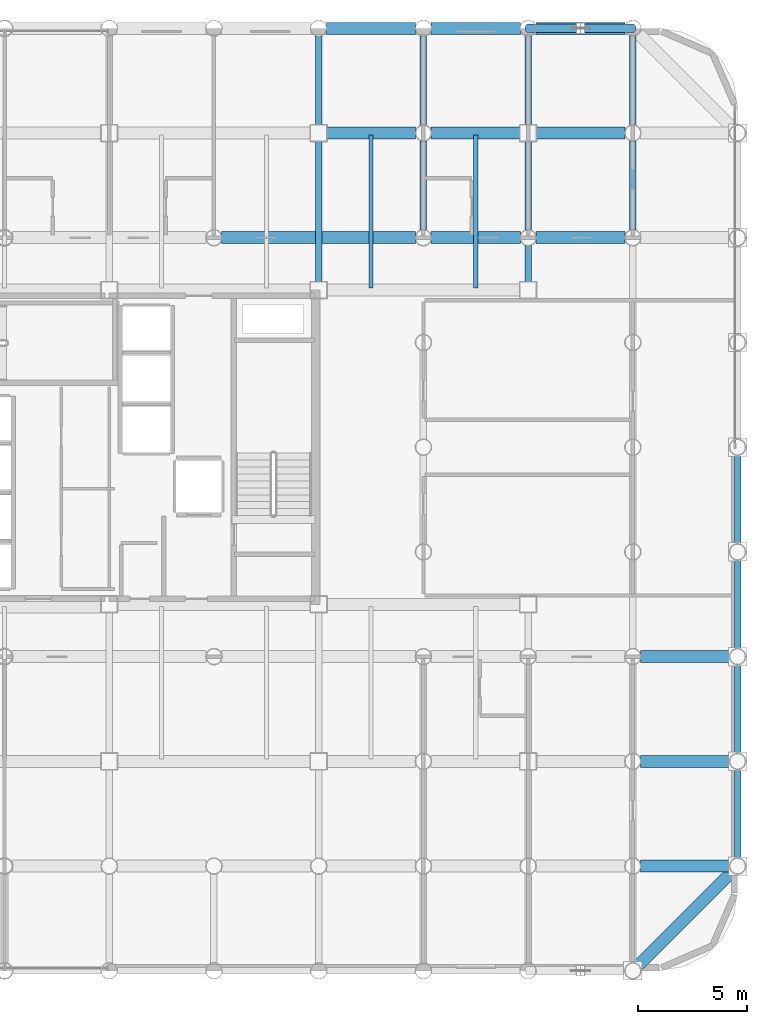
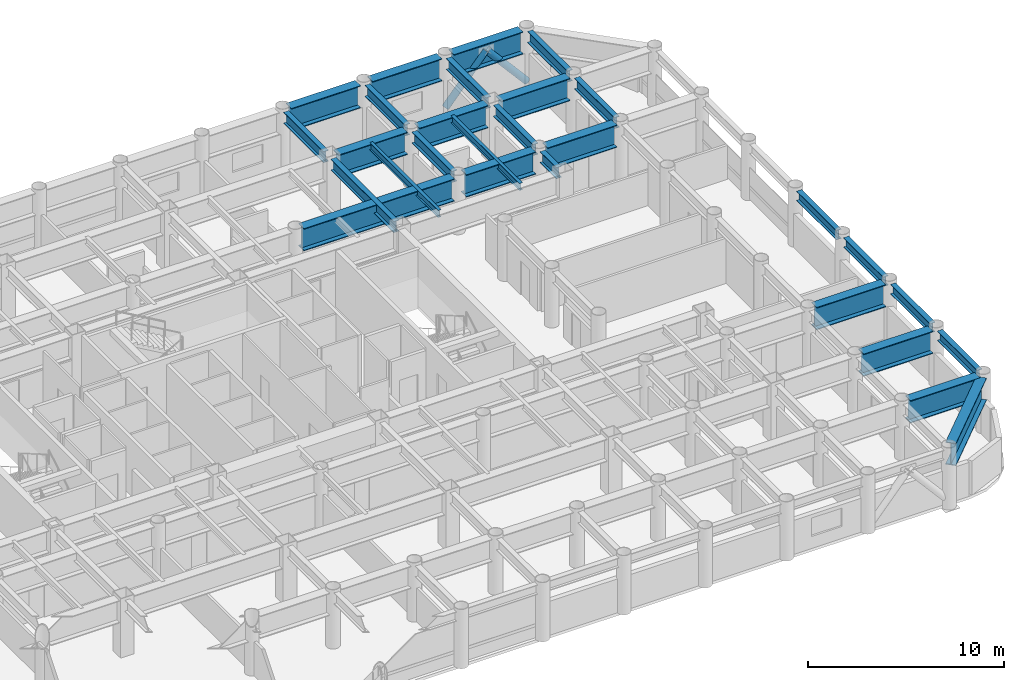
# One storey, part 12 of 22: 28 beams, 2 members.
"""IFC4 building model written with IfcOpenShell, lengths in metres."""

from ifc_helpers import new_model, si_unit, direction, frame, origin, origin_2d, place, context, subcontext, project, spatial, hollow_circle, i_section, extrude, material, material_profile, profile_set, type_object, element, save


model = new_model("IFC4")

# Units and contexts
model_context = context("Model", 3, precision=1e-05, world=origin(), true_north=direction((0.0, 1.0)))
body_context = subcontext(model_context, "Body", "Model", "MODEL_VIEW")
ifc_project = project(units=[si_unit("LENGTHUNIT", "METRE"), si_unit("AREAUNIT", "SQUARE_METRE"), si_unit("VOLUMEUNIT", "CUBIC_METRE"), si_unit("PLANEANGLEUNIT", "RADIAN"), si_unit("MASSUNIT", "GRAM", prefix="KILO")], contexts=[model_context])

# Site, building, storey
site_placement = place(None, origin())
site = spatial("IfcSite", under=ifc_project, at=site_placement, CompositionType="ELEMENT")
building_placement = place(site_placement, origin())
building = spatial("IfcBuilding", under=site, at=building_placement, Name="Kallvorn Hotel Tower", CompositionType="ELEMENT")
storey_placement = place(building_placement, frame((0.0, 0.0, 59.60009765625)))
storey = spatial("IfcBuildingStorey", under=building, at=storey_placement, Name="L13", CompositionType="ELEMENT", Elevation=59.60009765625)

# Beams
ifc_material_1 = material(Name="Structural steel S355JR", Category="steel")
ifc_material_profile_1 = material_profile(ifc_material_1, i_section(OverallWidth=0.300048828125, OverallDepth=0.60009765625, WebThickness=0.015380859375, FlangeThickness=0.030029296875, at=origin_2d()), Name="HE 600 B")
ifc_profile_set_1 = profile_set([ifc_material_profile_1], Name="Structural steel S355JR")
beam_type_1 = type_object("IfcBeamType", Name="BM_HE600B", PredefinedType="SPANDREL", material=ifc_profile_set_1)
for number, where, z_axis, x_axis, name in (
    (1, (33.60009765625, -18.8291015625, 3.219970703125), (0.0, 1.0, 0.0), (-1.0, 0.0, 0.0), "L14 Perimeter Spandrel 182"),
    (2, (33.60009765625, -14.029052734375, 3.219970703125), (0.0, 1.0, 0.0), (-1.0, 0.0, 0.0), "L14 Perimeter Spandrel 183"),
    (3, (33.60009765625, -9.22900390625, 3.219970703125), (0.0, 1.0, 0.0), (-1.0, 0.0, 0.0), "L14 Perimeter Spandrel 184"),
):
    element("IfcBeam", number, at=place(storey_placement, frame(where, z_axis=z_axis, x_axis=x_axis)), inside=storey, type_object=beam_type_1, Name=name, PredefinedType="SPANDREL", context=body_context, shape_type="SweptSolid", body=[
        extrude(i_section(OverallWidth=0.300048828125, OverallDepth=0.60009765625, WebThickness=0.015380859375, FlangeThickness=0.030029296875, at=origin_2d()), origin(), (0.0, 0.0, 1.0), 4.05810546875),
    ])
beam_1_placement = place(storey_placement, frame((33.60009765625, -4.428955078125, 3.219970703125), z_axis=(0.0, 1.0, 0.0), x_axis=(-1.0, 0.0, 0.0)))
element("IfcBeam", 4, at=beam_1_placement, inside=storey, type_object=beam_type_1, Name="L14 Perimeter Spandrel 185", PredefinedType="SPANDREL", context=body_context, shape_type="SweptSolid", body=[
    extrude(i_section(OverallWidth=0.300048828125, OverallDepth=0.60009765625, WebThickness=0.015380859375, FlangeThickness=0.030029296875, at=origin_2d()), origin(), (0.0, 0.0, 1.0), 4.057861328125),
])
ifc_material_2 = material(Name="Structural steel S355JR", Category="steel")
ifc_material_profile_2 = material_profile(ifc_material_2, i_section(OverallWidth=0.300048828125, OverallDepth=0.699951171875, WebThickness=0.01708984375, FlangeThickness=0.031982421875, at=origin_2d()), Name="HE 700 B")
ifc_profile_set_2 = profile_set([ifc_material_profile_2], Name="Structural steel S355JR")
beam_type_2 = type_object("IfcBeamType", Name="BM_HE700B", PredefinedType="BEAM", material=ifc_profile_set_2)
beam_2_placement = place(storey_placement, frame((14.39990234375, 7.574951171875, 3.169921875), z_axis=(0.0, 1.0, 0.0), x_axis=(-1.0, 0.0, 0.0)))
element("IfcBeam", 5, at=beam_2_placement, inside=storey, type_object=beam_type_2, Name="L14 Primary Y-Girder 124", PredefinedType="BEAM", context=body_context, shape_type="SweptSolid", body=[
    extrude(i_section(OverallWidth=0.300048828125, OverallDepth=0.699951171875, WebThickness=0.01708984375, FlangeThickness=0.031982421875, at=origin_2d()), origin(), (0.0, 0.0, 1.0), 6.449951171875),
])
beam_3_placement = place(storey_placement, frame((14.39990234375, 14.77490234375, 3.169921875), z_axis=(0.0, 1.0, 0.0), x_axis=(-1.0, 0.0, 0.0)))
element("IfcBeam", 6, at=beam_3_placement, inside=storey, type_object=beam_type_2, Name="L14 Primary Y-Girder 125", PredefinedType="BEAM", context=body_context, shape_type="SweptSolid", body=[
    extrude(i_section(OverallWidth=0.300048828125, OverallDepth=0.699951171875, WebThickness=0.01708984375, FlangeThickness=0.031982421875, at=origin_2d()), origin(), (0.0, 0.0, 1.0), 4.069091796875),
])
for number, where, z_axis, x_axis, name in (
    (7, (19.199951171875, 9.9560546875, 3.169921875), (0.0, 1.0, 0.0), (-1.0, 0.0, 0.0), "L14 Primary Y-Girder 133"),
    (8, (19.199951171875, 14.756103515625, 3.169921875), (0.0, 1.0, 0.0), (-1.0, 0.0, 0.0), "L14 Primary Y-Girder 134"),
):
    element("IfcBeam", number, at=place(storey_placement, frame(where, z_axis=z_axis, x_axis=x_axis)), inside=storey, type_object=beam_type_2, Name=name, PredefinedType="BEAM", context=body_context, shape_type="SweptSolid", body=[
        extrude(i_section(OverallWidth=0.300048828125, OverallDepth=0.699951171875, WebThickness=0.01708984375, FlangeThickness=0.031982421875, at=origin_2d()), origin(), (0.0, 0.0, 1.0), 4.087890625),
    ])
beam_4_placement = place(storey_placement, frame((24.0, 7.574951171875, 3.169921875), z_axis=(0.0, 1.0, 0.0), x_axis=(-1.0, 0.0, 0.0)))
element("IfcBeam", 9, at=beam_4_placement, inside=storey, type_object=beam_type_2, Name="L14 Primary Y-Girder 139", PredefinedType="BEAM", context=body_context, shape_type="SweptSolid", body=[
    extrude(i_section(OverallWidth=0.300048828125, OverallDepth=0.699951171875, WebThickness=0.01708984375, FlangeThickness=0.031982421875, at=origin_2d()), origin(), (0.0, 0.0, 1.0), 1.6689453125),
])
beam_5_placement = place(storey_placement, frame((24.0, 9.9560546875, 3.169921875), z_axis=(0.0, 1.0, 0.0), x_axis=(-1.0, 0.0, 0.0)))
element("IfcBeam", 10, at=beam_5_placement, inside=storey, type_object=beam_type_2, Name="L14 Primary Y-Girder 140", PredefinedType="BEAM", context=body_context, shape_type="SweptSolid", body=[
    extrude(i_section(OverallWidth=0.300048828125, OverallDepth=0.699951171875, WebThickness=0.01708984375, FlangeThickness=0.031982421875, at=origin_2d()), origin(), (0.0, 0.0, 1.0), 4.06884765625),
])
beam_6_placement = place(storey_placement, frame((24.0, 14.77490234375, 3.169921875), z_axis=(0.0, 1.0, 0.0), x_axis=(-1.0, 0.0, 0.0)))
element("IfcBeam", 11, at=beam_6_placement, inside=storey, type_object=beam_type_2, Name="L14 Primary Y-Girder 141", PredefinedType="BEAM", context=body_context, shape_type="SweptSolid", body=[
    extrude(i_section(OverallWidth=0.300048828125, OverallDepth=0.699951171875, WebThickness=0.01708984375, FlangeThickness=0.031982421875, at=origin_2d()), origin(), (0.0, 0.0, 1.0), 4.069091796875),
])
for number, where, z_axis, x_axis, name in (
    (12, (28.800048828125, 9.9560546875, 3.169921875), (0.0, 1.0, 0.0), (-1.0, 0.0, 0.0), "L14 Primary Y-Girder 149"),
    (13, (28.800048828125, 14.756103515625, 3.169921875), (0.0, 1.0, 0.0), (-1.0, 0.0, 0.0), "L14 Primary Y-Girder 150"),
):
    element("IfcBeam", number, at=place(storey_placement, frame(where, z_axis=z_axis, x_axis=x_axis)), inside=storey, type_object=beam_type_2, Name=name, PredefinedType="BEAM", context=body_context, shape_type="SweptSolid", body=[
        extrude(i_section(OverallWidth=0.300048828125, OverallDepth=0.699951171875, WebThickness=0.01708984375, FlangeThickness=0.031982421875, at=origin_2d()), origin(), (0.0, 0.0, 1.0), 4.087890625),
    ])
ifc_material_3 = material(Name="Structural steel S355JR", Category="steel")
ifc_material_profile_3 = material_profile(ifc_material_3, i_section(OverallWidth=0.18994140625, OverallDepth=0.449951171875, WebThickness=0.009521484375, FlangeThickness=0.0146484375, at=origin_2d()), Name="IPE 450")
ifc_profile_set_3 = profile_set([ifc_material_profile_3], Name="Structural steel S355JR")
beam_type_3 = type_object("IfcBeamType", Name="BM_IPE450", PredefinedType="JOIST", material=ifc_profile_set_3)
for number, where, z_axis, x_axis, name in (
    (14, (16.800048828125, 7.300048828125, 3.294921875), (0.0, 1.0, 0.0), (-1.0, 0.0, 0.0), "L14 Secondary Composite Joist 207"),
    (15, (21.60009765625, 7.300048828125, 3.294921875), (0.0, 1.0, 0.0), (-1.0, 0.0, 0.0), "L14 Secondary Composite Joist 209"),
):
    element("IfcBeam", number, at=place(storey_placement, frame(where, z_axis=z_axis, x_axis=x_axis)), inside=storey, type_object=beam_type_3, Name=name, PredefinedType="JOIST", context=body_context, shape_type="SweptSolid", body=[
        extrude(i_section(OverallWidth=0.18994140625, OverallDepth=0.449951171875, WebThickness=0.009521484375, FlangeThickness=0.0146484375, at=origin_2d()), origin(), (0.0, 0.0, 1.0), 7.0),
    ])
ifc_material_4 = material(Name="Structural steel S355JR", Category="steel")
ifc_material_profile_4 = material_profile(ifc_material_4, i_section(OverallWidth=0.550048828125, OverallDepth=1.39990234375, WebThickness=0.02490234375, FlangeThickness=0.044921875, at=origin_2d()), Name="PG 1400x550x25x45")
ifc_profile_set_4 = profile_set([ifc_material_profile_4], Name="Structural steel S355JR")
beam_type_4 = type_object("IfcBeamType", Name="BM_PG_1400", PredefinedType="BEAM", material=ifc_profile_set_4)
for number, where, z_axis, x_axis, name in (
    (16, (29.156005859375, -19.199951171875, 2.81982421875), (1.0, 0.0, 0.0), (0.0, 1.0, 0.0), "L14 Primary X-Girder 13"),
    (17, (29.156005859375, -14.39990234375, 2.81982421875), (1.0, 0.0, 0.0), (0.0, 1.0, 0.0), "L14 Primary X-Girder 23"),
    (18, (29.156005859375, -9.60009765625, 2.81982421875), (1.0, 0.0, 0.0), (0.0, 1.0, 0.0), "L14 Primary X-Girder 32"),
):
    element("IfcBeam", number, at=place(storey_placement, frame(where, z_axis=z_axis, x_axis=x_axis)), inside=storey, type_object=beam_type_4, Name=name, PredefinedType="BEAM", context=body_context, shape_type="SweptSolid", body=[
        extrude(i_section(OverallWidth=0.550048828125, OverallDepth=1.39990234375, WebThickness=0.02490234375, FlangeThickness=0.044921875, at=origin_2d()), origin(), (0.0, 0.0, 1.0), 4.087890625),
    ])
beam_7_placement = place(storey_placement, frame((9.9560546875, 9.60009765625, 2.81982421875), z_axis=(1.0, 0.0, 0.0), x_axis=(0.0, 1.0, 0.0)))
element("IfcBeam", 19, at=beam_7_placement, inside=storey, type_object=beam_type_4, Name="L14 Primary X-Girder 47", PredefinedType="BEAM", context=body_context, shape_type="SweptSolid", body=[
    extrude(i_section(OverallWidth=0.550048828125, OverallDepth=1.39990234375, WebThickness=0.02490234375, FlangeThickness=0.044921875, at=origin_2d()), origin(), (0.0, 0.0, 1.0), 8.887939453125),
])
for number, where, z_axis, x_axis, name in (
    (20, (19.555908203125, 9.60009765625, 2.81982421875), (1.0, 0.0, 0.0), (0.0, 1.0, 0.0), "L14 Primary X-Girder 48"),
    (21, (24.35595703125, 9.60009765625, 2.81982421875), (1.0, 0.0, 0.0), (0.0, 1.0, 0.0), "L14 Primary X-Girder 49"),
):
    element("IfcBeam", number, at=place(storey_placement, frame(where, z_axis=z_axis, x_axis=x_axis)), inside=storey, type_object=beam_type_4, Name=name, PredefinedType="BEAM", context=body_context, shape_type="SweptSolid", body=[
        extrude(i_section(OverallWidth=0.550048828125, OverallDepth=1.39990234375, WebThickness=0.02490234375, FlangeThickness=0.044921875, at=origin_2d()), origin(), (0.0, 0.0, 1.0), 4.088134765625),
    ])
for number, where, z_axis, x_axis, name in (
    (22, (14.77490234375, 14.39990234375, 2.81982421875), (1.0, 0.0, 0.0), (0.0, 1.0, 0.0), "L14 Primary X-Girder 57"),
    (23, (19.555908203125, 14.39990234375, 2.81982421875), (1.0, 0.0, 0.0), (0.0, 1.0, 0.0), "L14 Primary X-Girder 58"),
    (24, (24.375, 14.39990234375, 2.81982421875), (1.0, 0.0, 0.0), (0.0, 1.0, 0.0), "L14 Primary X-Girder 59"),
):
    element("IfcBeam", number, at=place(storey_placement, frame(where, z_axis=z_axis, x_axis=x_axis)), inside=storey, type_object=beam_type_4, Name=name, PredefinedType="BEAM", context=body_context, shape_type="SweptSolid", body=[
        extrude(i_section(OverallWidth=0.550048828125, OverallDepth=1.39990234375, WebThickness=0.02490234375, FlangeThickness=0.044921875, at=origin_2d()), origin(), (0.0, 0.0, 1.0), 4.069091796875),
    ])
beam_8_placement = place(storey_placement, frame((14.756103515625, 19.199951171875, 2.81982421875), z_axis=(1.0, 0.0, 0.0), x_axis=(0.0, 1.0, 0.0)))
element("IfcBeam", 25, at=beam_8_placement, inside=storey, type_object=beam_type_4, Name="L14 Primary X-Girder 70", PredefinedType="BEAM", context=body_context, shape_type="SweptSolid", body=[
    extrude(i_section(OverallWidth=0.550048828125, OverallDepth=1.39990234375, WebThickness=0.02490234375, FlangeThickness=0.044921875, at=origin_2d()), origin(), (0.0, 0.0, 1.0), 4.087890625),
])
for number, where, z_axis, x_axis, name in (
    (26, (19.555908203125, 19.199951171875, 2.81982421875), (1.0, 0.0, 0.0), (0.0, 1.0, 0.0), "L14 Primary X-Girder 71"),
    (27, (24.35595703125, 19.199951171875, 2.81982421875), (1.0, 0.0, 0.0), (0.0, 1.0, 0.0), "L14 Primary X-Girder 72"),
):
    element("IfcBeam", number, at=place(storey_placement, frame(where, z_axis=z_axis, x_axis=x_axis)), inside=storey, type_object=beam_type_4, Name=name, PredefinedType="BEAM", context=body_context, shape_type="SweptSolid", body=[
        extrude(i_section(OverallWidth=0.550048828125, OverallDepth=1.39990234375, WebThickness=0.02490234375, FlangeThickness=0.044921875, at=origin_2d()), origin(), (0.0, 0.0, 1.0), 4.088134765625),
    ])
beam_9_placement = place(storey_placement, frame((33.337646484375, -19.46240234375, 2.81982421875), z_axis=(-0.707106781187, -0.707106781187, 0.0), x_axis=(0.707106781187, -0.707106781187, 0.0)))
element("IfcBeam", 28, at=beam_9_placement, inside=storey, type_object=beam_type_4, Name="L14 Rounded Corner Tie Beam 190", PredefinedType="BEAM", context=body_context, shape_type="SweptSolid", body=[
    extrude(i_section(OverallWidth=0.550048828125, OverallDepth=1.39990234375, WebThickness=0.02490234375, FlangeThickness=0.044921875, at=origin_2d()), origin(), (0.0, 0.0, 1.0), 6.04638671875),
])

# Members
ifc_material_5 = material(Name="Structural steel S355J2H", Category="steel")
ifc_material_profile_5 = material_profile(ifc_material_5, hollow_circle(Radius=0.203125, WallThickness=0.01611328125, at=origin_2d()), Name="CHS 406.4x16")
ifc_profile_set_5 = profile_set([ifc_material_profile_5], Name="Structural steel S355J2H")
member_type = type_object("IfcMemberType", Name="MBR_EXO_CHS406", PredefinedType="BRACE", material=ifc_profile_set_5)
for number, where, z_axis, x_axis, name in (
    (29, (24.01318359375, 19.199951171875, 0.195068359375), (0.65346062529, 0.0, 0.756960508346), (0.0, 1.0, 0.0), "L13 Exoskeleton K-Brace N2A"),
    (30, (28.786865234375, 19.199951171875, 0.195068359375), (-0.65346062529, 0.0, 0.756960508346), (0.0, -1.0, 0.0), "L13 Exoskeleton K-Brace N2B"),
):
    element("IfcMember", number, at=place(storey_placement, frame(where, z_axis=z_axis, x_axis=x_axis)), inside=storey, type_object=member_type, Name=name, PredefinedType="BRACE", context=body_context, shape_type="SweptSolid", body=[
        extrude(hollow_circle(Radius=0.203125, WallThickness=0.01611328125, at=origin_2d()), origin(), (0.0, 0.0, 1.0), 3.632568359375),
    ])

save(model, "model.ifc")
